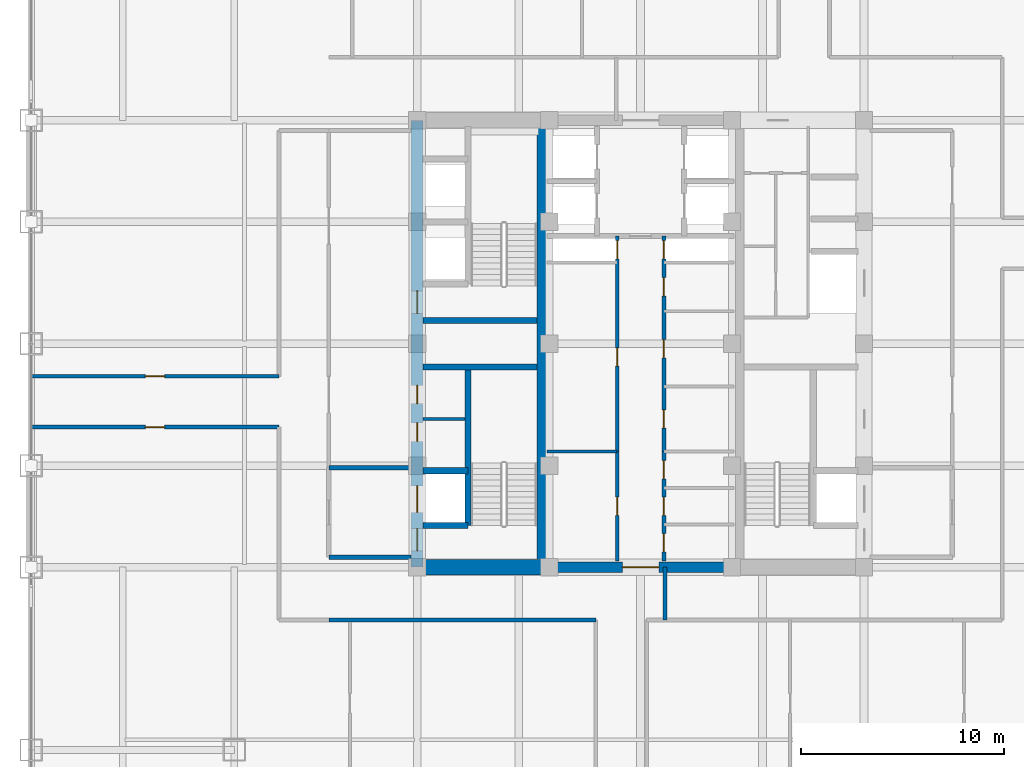
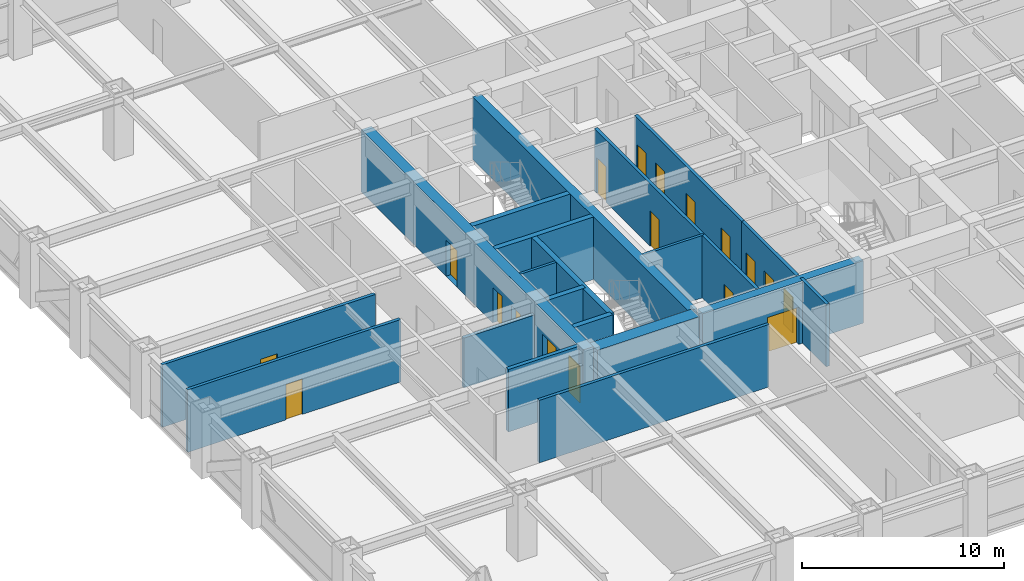
# One storey, part 20 of 28: 21 walls, 18 doors, 18 openings.
"""IFC4 building model written with IfcOpenShell, lengths in metres."""

import ifcopenshell
import ifcopenshell.guid

model = None  # the IFC model being written
_history = None  # IfcOwnerHistory: only IFC2X3 demands one
_inside = {}  # id of a spatial element -> (the spatial element, [elements in it])
_under = {}  # id of a project, library or spatial element -> (it, [spatial elements below it])
_declared = {}  # id of a project -> (the project, [libraries it declares])
_typed = {}  # id of a type object -> (the type object, [elements of that type])
_made_of = {}  # id of a material, layer set ... -> (it, [elements and type objects made of it])


def new_model(schema):
    """Start an empty IFC model of exactly this schema.

    Asked for "IFC4X3", IfcOpenShell would pick the latest addendum, in which some entities
    have other attributes; the version numbers below select the first issue.
    IFC2X3 requires an IfcOwnerHistory on every rooted entity: one is made here for all.
    """
    global model, _history
    if schema == "IFC4X3":
        model = ifcopenshell.file(schema_version=(4, 3, 0, 0))
    else:
        model = ifcopenshell.file(schema=schema)
    _inside.clear()
    _under.clear()
    _declared.clear()
    _typed.clear()
    _made_of.clear()
    _history = None
    if model.schema == "IFC2X3":
        org = make("IfcOrganization", Name="unknown")
        user = make(
            "IfcPersonAndOrganization",
            ThePerson=make("IfcPerson", FamilyName="unknown"),
            TheOrganization=org,
        )
        app = make(
            "IfcApplication",
            ApplicationDeveloper=org,
            Version="unknown",
            ApplicationFullName="unknown",
            ApplicationIdentifier="unknown",
        )
        _history = make(
            "IfcOwnerHistory",
            OwningUser=user,
            OwningApplication=app,
            ChangeAction="ADDED",
            CreationDate=0,
        )
    return model


def make(cls, **values):
    """One entity of the class cls with the attributes given. An attribute that is None is left unset."""
    return model.create_entity(
        cls, **{name: value for name, value in values.items() if value is not None}
    )


def rooted(cls, **values):
    """An entity with a GlobalId (a new one), such as an element, a storey or a relation."""
    return make(cls, GlobalId=ifcopenshell.guid.new(), OwnerHistory=_history, **values)


def si_unit(unit_type, name, prefix=None):
    """IfcSIUnit, for example si_unit("LENGTHUNIT", "METRE", prefix="MILLI")."""
    return make("IfcSIUnit", UnitType=unit_type, Prefix=prefix, Name=name)


def assignment(units):
    """IfcUnitAssignment: the units of a project."""
    return None if units is None else make("IfcUnitAssignment", Units=units)


def point(xyz):
    """IfcCartesianPoint."""
    return None if xyz is None else make("IfcCartesianPoint", Coordinates=xyz)


def direction(xyz):
    """IfcDirection."""
    return None if xyz is None else make("IfcDirection", DirectionRatios=xyz)


def frame(location, z_axis=None, x_axis=None):
    """IfcAxis2Placement3D, a coordinate frame: its origin and axes. An axis left out is left unset."""
    return make(
        "IfcAxis2Placement3D",
        Location=point(location),
        Axis=direction(z_axis),
        RefDirection=direction(x_axis),
    )


def frame_2d(location, x_axis=None):
    """IfcAxis2Placement2D, a coordinate frame in the plane: its origin and x axis."""
    return make(
        "IfcAxis2Placement2D", Location=point(location), RefDirection=direction(x_axis)
    )


def origin():
    """The frame at (0, 0, 0) with its axes left unset."""
    return frame((0.0, 0.0, 0.0))


def place(relative_to, where):
    """IfcLocalPlacement: puts the frame where relative to a parent placement (None: the world)."""
    return make(
        "IfcLocalPlacement", PlacementRelTo=relative_to, RelativePlacement=where
    )


def context(
    kind, dimensions, precision=None, world=None, true_north=None, identifier=None
):
    """IfcGeometricRepresentationContext, for example the 3D "Model" context."""
    return make(
        "IfcGeometricRepresentationContext",
        ContextIdentifier=identifier,
        ContextType=kind,
        CoordinateSpaceDimension=dimensions,
        Precision=precision,
        WorldCoordinateSystem=world,
        TrueNorth=true_north,
    )


def subcontext(parent, identifier, kind, view, scale=None):
    """IfcGeometricRepresentationSubContext, for example "Body" below "Model"."""
    return make(
        "IfcGeometricRepresentationSubContext",
        ContextIdentifier=identifier,
        ContextType=kind,
        ParentContext=parent,
        TargetScale=scale,
        TargetView=view,
    )


def project(units=None, contexts=None):
    """IfcProject with its units and contexts."""
    return rooted(
        "IfcProject",
        Name="project",
        RepresentationContexts=contexts,
        UnitsInContext=assignment(units),
    )


def spatial(cls, under=None, at=None, **own):
    """A site, building, storey or space (cls), placed at a placement, below another one or the project."""
    s = rooted(cls, ObjectPlacement=at, **own)
    if under is not None:
        _under.setdefault(under.id(), (under, []))[1].append(s)
    return s


def profile(cls, at=None, kind="AREA", **sizes):
    """A parametric profile (cls). Its sizes go by their IFC names, for example OverallWidth=200.0."""
    return make(cls, ProfileType=kind, Position=at, **sizes)


def rectangle(**sizes):
    """IfcRectangleProfileDef."""
    return profile("IfcRectangleProfileDef", **sizes)


def extrude(swept, where, along, depth):
    """IfcExtrudedAreaSolid: the profile swept, set in the frame where, extruded along a direction by depth."""
    return make(
        "IfcExtrudedAreaSolid",
        SweptArea=swept,
        Position=where,
        ExtrudedDirection=direction(along),
        Depth=depth,
    )


def shape(context_of_items, identifier, shape_type, items):
    """IfcShapeRepresentation: the items that make up one representation, for example the "Body"."""
    return make(
        "IfcShapeRepresentation",
        ContextOfItems=context_of_items,
        RepresentationIdentifier=identifier,
        RepresentationType=shape_type,
        Items=items,
    )


def source(mapping_origin, context_of_items, identifier, shape_type, items):
    """IfcRepresentationMap: a shape defined once, which mapped items show again and again."""
    return make(
        "IfcRepresentationMap",
        MappingOrigin=mapping_origin,
        MappedRepresentation=shape(context_of_items, identifier, shape_type, items),
    )


def transform(
    local_origin,
    x_axis=None,
    y_axis=None,
    z_axis=None,
    scale=None,
    scale2=None,
    scale3=None,
    uniform=True,
):
    """IfcCartesianTransformationOperator3D, or its non-uniform kind. x_axis, y_axis, z_axis: its Axis1, 2, 3."""
    if uniform:
        return make(
            "IfcCartesianTransformationOperator3D",
            Axis1=direction(x_axis),
            Axis2=direction(y_axis),
            LocalOrigin=point(local_origin),
            Scale=scale,
            Axis3=direction(z_axis),
        )
    return make(
        "IfcCartesianTransformationOperator3DnonUniform",
        Axis1=direction(x_axis),
        Axis2=direction(y_axis),
        LocalOrigin=point(local_origin),
        Scale=scale,
        Axis3=direction(z_axis),
        Scale2=scale2,
        Scale3=scale3,
    )


def mapped(mapping_source, mapping_target):
    """IfcMappedItem: shows the shape of a source again, moved by a transform."""
    return make(
        "IfcMappedItem", MappingSource=mapping_source, MappingTarget=mapping_target
    )


def material(Name=None, Category=None):
    """IfcMaterial."""
    return make("IfcMaterial", Name=Name, Category=Category)


def layer(
    of_material, thickness, ventilated=None, Name=None, Category=None, Priority=None
):
    """IfcMaterialLayer: one layer of a wall or slab, of a material (None: an air gap)."""
    return make(
        "IfcMaterialLayer",
        Material=of_material,
        LayerThickness=thickness,
        IsVentilated=ventilated,
        Name=Name,
        Category=Category,
        Priority=Priority,
    )


def layer_set(layers, Name=None):
    """IfcMaterialLayerSet."""
    return make("IfcMaterialLayerSet", MaterialLayers=layers, LayerSetName=Name)


def made_of(thing, what):
    """Note that an element or type object is made of a material, layer set ...; save() writes the relation."""
    if what is not None:
        _made_of.setdefault(what.id(), (what, []))[1].append(thing)
    return thing


def type_object(cls, material=None, **own):
    """A type object (cls), such as IfcWallType, which elements share."""
    return made_of(rooted(cls, **own), material)


def element(
    cls,
    number,
    at=None,
    inside=None,
    cuts=None,
    type_object=None,
    material=None,
    context=None,
    identifier="Body",
    shape_type=None,
    held_by="IfcProductDefinitionShape",
    body=None,
    shapes=None,
    **own,
):
    """One element of the class cls, such as IfcWall. Its Tag is "e" and its number.

    at: its placement. inside: the storey or other place that contains it. cuts: it is an
    opening in that element (IfcRelVoidsElement). A single representation is given by context,
    identifier, shape_type and body (its items); several are given by shapes. held_by: the class
    of the entity that holds the representations. save() writes the other relations.
    """
    e = rooted(cls, Tag="e%d" % number, ObjectPlacement=at, **own)
    if body is not None:
        shapes = [shape(context, identifier, shape_type, body)]
    if shapes is not None:
        e.Representation = make(held_by, Representations=shapes)
    if inside is not None:
        _inside.setdefault(inside.id(), (inside, []))[1].append(e)
    if cuts is not None:
        rooted(
            "IfcRelVoidsElement", RelatingBuildingElement=cuts, RelatedOpeningElement=e
        )
    if type_object is not None:
        _typed.setdefault(type_object.id(), (type_object, []))[1].append(e)
    return made_of(e, material)


def fill(opening, filler):
    """IfcRelFillsElement: the door or window that sits in an opening."""
    return rooted(
        "IfcRelFillsElement",
        RelatingOpeningElement=opening,
        RelatedBuildingElement=filler,
    )


def aggregate(whole, parts):
    """IfcRelAggregates: a whole, such as a stair, and the parts it consists of."""
    return rooted("IfcRelAggregates", RelatingObject=whole, RelatedObjects=parts)


def save(model, path):
    """Write the relations noted so far, then the file.

    IfcRelAggregates (storeys below a building ...), IfcRelContainedInSpatialStructure (elements
    in a storey), IfcRelDefinesByType, IfcRelAssociatesMaterial and IfcRelDeclares: one each for
    every whole, place, type object, material and project.
    """
    for whole, parts in _under.values():
        aggregate(whole, parts)
    for where, things in _inside.values():
        rooted(
            "IfcRelContainedInSpatialStructure",
            RelatedElements=things,
            RelatingStructure=where,
        )
    for kind, things in _typed.values():
        rooted("IfcRelDefinesByType", RelatedObjects=things, RelatingType=kind)
    for what, things in _made_of.values():
        rooted("IfcRelAssociatesMaterial", RelatedObjects=things, RelatingMaterial=what)
    for by, libraries in _declared.values():
        rooted("IfcRelDeclares", RelatingContext=by, RelatedDefinitions=libraries)
    model.write(path)


model = new_model("IFC4")

# Units and contexts
model_context = context("Model", 3, precision=1e-05, world=origin(), true_north=direction((0.0, 1.0)))
body_context = subcontext(model_context, "Body", "Model", "MODEL_VIEW")
ifc_project = project(units=[si_unit("LENGTHUNIT", "METRE"), si_unit("AREAUNIT", "SQUARE_METRE"), si_unit("VOLUMEUNIT", "CUBIC_METRE"), si_unit("PLANEANGLEUNIT", "RADIAN"), si_unit("MASSUNIT", "GRAM", prefix="KILO")], contexts=[model_context])

# Site, building, storey
site_placement = place(None, origin())
site = spatial("IfcSite", under=ifc_project, at=site_placement, CompositionType="ELEMENT")
building_placement = place(site_placement, origin())
building = spatial("IfcBuilding", under=site, at=building_placement, Name="Khorayat Bourse Tower", CompositionType="ELEMENT")
storey_placement = place(building_placement, frame((0.0, 0.0, 183.10009765625)))
storey = spatial("IfcBuildingStorey", under=building, at=storey_placement, Name="L42", CompositionType="ELEMENT", Elevation=183.10009765625)

# Wall, openings, doors
ifc_material_1 = material(Name="Concrete C60/75", Category="concrete")
ifc_layer_1 = layer(ifc_material_1, 0.60009765625)
ifc_layer_set_1 = layer_set([ifc_layer_1], Name="Concrete C60/75")
wall_type_1 = type_object("IfcWallType", Name="WAL-CORE-600", PredefinedType="SHEAR", material=ifc_layer_set_1)
shared_shape_1 = source(origin(), body_context, "Body", "SweptSolid", [
    extrude(rectangle(XDim=22.0, YDim=0.60009765625, at=frame_2d((11.0, 0.0))), origin(), (0.0, 0.0, 1.0), 3.77978515625),
])
wall_1_placement = place(storey_placement, frame((-11.0, -11.0, 0.0), z_axis=(0.0, 0.0, 1.0), x_axis=(0.0, 1.0, 0.0)))
wall_1 = element("IfcWall", 1, at=wall_1_placement, inside=storey, type_object=wall_type_1, Name="L42 Core Shear Wall CORE-W", PredefinedType="SHEAR", context=body_context, shape_type="MappedRepresentation", body=[
    mapped(shared_shape_1, transform((0.0, 0.0, 0.0), scale=1.0)),
])
shared_shape_2 = source(origin(), body_context, "Body", "SweptSolid", [
    extrude(rectangle(XDim=1.10009765625, YDim=2.199951171875, at=frame_2d((0.550048828125, 1.10009765625))), frame((0.0, 0.31005859375, 0.0), z_axis=(0.0, -1.0, 0.0), x_axis=(1.0, 0.0, 0.0)), (0.0, 0.0, 1.0), 0.6201171875),
])
opening_1_placement = place(wall_1_placement, frame((0.800048828125, 0.0, 0.0)))
opening_1 = element("IfcOpeningElement", 2, at=opening_1_placement, cuts=wall_1, Name="Opening DI-01", PredefinedType="OPENING", context=body_context, shape_type="MappedRepresentation", body=[
    mapped(shared_shape_2, transform((0.0, 0.0, 0.0), scale=1.0)),
])
opening_2_placement = place(wall_1_placement, frame((12.5, 0.0, 0.0)))
opening_2 = element("IfcOpeningElement", 3, at=opening_2_placement, cuts=wall_1, Name="Opening DI-01", PredefinedType="OPENING", context=body_context, shape_type="MappedRepresentation", body=[
    mapped(shared_shape_2, transform((0.0, 0.0, 0.0), scale=1.0)),
])
shared_shape_3 = source(origin(), body_context, "Body", "SweptSolid", [
    extrude(rectangle(XDim=0.89990234375, YDim=2.14990234375, at=frame_2d((0.449951171875, 1.074951171875))), frame((0.0, 0.31005859375, 0.0), z_axis=(0.0, -1.0, 0.0), x_axis=(1.0, 0.0, 0.0)), (0.0, 0.0, 1.0), 0.6201171875),
])
opening_3_placement = place(wall_1_placement, frame((6.199951171875, 0.0, 0.0)))
opening_3 = element("IfcOpeningElement", 4, at=opening_3_placement, cuts=wall_1, Name="Opening DI-06", PredefinedType="OPENING", context=body_context, shape_type="MappedRepresentation", body=[
    mapped(shared_shape_3, transform((0.0, 0.0, 0.0), scale=1.0)),
])
opening_4_placement = place(wall_1_placement, frame((8.050048828125, 0.0, 0.0)))
opening_4 = element("IfcOpeningElement", 5, at=opening_4_placement, cuts=wall_1, Name="Opening DI-06", PredefinedType="OPENING", context=body_context, shape_type="MappedRepresentation", body=[
    mapped(shared_shape_3, transform((0.0, 0.0, 0.0), scale=1.0)),
])
shared_shape_4 = source(origin(), body_context, "Body", "SweptSolid", [
    extrude(rectangle(XDim=1.300048828125, YDim=2.300048828125, at=frame_2d((0.64990234375, 1.14990234375))), frame((0.0, 0.31005859375, 0.0), z_axis=(0.0, -1.0, 0.0), x_axis=(1.0, 0.0, 0.0)), (0.0, 0.0, 1.0), 0.6201171875),
])
opening_5_placement = place(wall_1_placement, frame((2.699951171875, 0.0, 0.0)))
opening_5 = element("IfcOpeningElement", 6, at=opening_5_placement, cuts=wall_1, Name="Opening LD-02", PredefinedType="OPENING", context=body_context, shape_type="MappedRepresentation", body=[
    mapped(shared_shape_4, transform((0.0, 0.0, 0.0), scale=1.0)),
])
ifc_material_2 = material(Name="Fire-rated steel acoustic leaf", Category="steel")
door_type_1 = type_object("IfcDoorType", Name="DR-INT-STAIR-1100", OperationType="NOTDEFINED", PredefinedType="DOOR", material=ifc_material_2)
shared_shape_5 = source(origin(), body_context, "Body", "SweptSolid", [
    extrude(rectangle(XDim=1.10009765625, YDim=2.199951171875, at=frame_2d((0.550048828125, 1.10009765625))), frame((0.0, 0.02490234375, 0.0), z_axis=(0.0, -1.0, 0.0), x_axis=(1.0, 0.0, 0.0)), (0.0, 0.0, 1.0), 0.050048828125),
])
door_1_placement = place(opening_1_placement, origin())
door_1 = element("IfcDoor", 7, at=door_1_placement, inside=storey, type_object=door_type_1, Name="L42 Exit Stair 1 Door", OperationType="SINGLE_SWING_RIGHT", OverallHeight=2.199951171875, OverallWidth=1.10009765625, PredefinedType="DOOR", context=body_context, shape_type="MappedRepresentation", body=[
    mapped(shared_shape_5, transform((0.0, 0.0, 0.0), scale=1.0)),
])
fill(opening_1, door_1)
door_2_placement = place(opening_2_placement, origin())
door_2 = element("IfcDoor", 8, at=door_2_placement, inside=storey, type_object=door_type_1, Name="L42 Exit Stair 2 Door", OperationType="SINGLE_SWING_RIGHT", OverallHeight=2.199951171875, OverallWidth=1.10009765625, PredefinedType="DOOR", context=body_context, shape_type="MappedRepresentation", body=[
    mapped(shared_shape_5, transform((0.0, 0.0, 0.0), scale=1.0)),
])
fill(opening_2, door_2)
ifc_material_3 = material(Name="Moisture-resistant laminate washroom door")
door_type_2 = type_object("IfcDoorType", Name="DR-INT-WC-900", OperationType="NOTDEFINED", PredefinedType="DOOR", material=ifc_material_3)
shared_shape_6 = source(origin(), body_context, "Body", "SweptSolid", [
    extrude(rectangle(XDim=0.89990234375, YDim=2.14990234375, at=frame_2d((0.449951171875, 1.074951171875))), frame((0.0, 0.02490234375, 0.0), z_axis=(0.0, -1.0, 0.0), x_axis=(1.0, 0.0, 0.0)), (0.0, 0.0, 1.0), 0.050048828125),
])
door_3_placement = place(opening_3_placement, origin())
door_3 = element("IfcDoor", 9, at=door_3_placement, inside=storey, type_object=door_type_2, Name="L42 Electrical Plant Room Door", OperationType="SINGLE_SWING_RIGHT", OverallHeight=2.14990234375, OverallWidth=0.89990234375, PredefinedType="DOOR", context=body_context, shape_type="MappedRepresentation", body=[
    mapped(shared_shape_6, transform((0.0, 0.0, 0.0), scale=1.0)),
])
fill(opening_3, door_3)
door_4_placement = place(opening_4_placement, origin())
door_4 = element("IfcDoor", 10, at=door_4_placement, inside=storey, type_object=door_type_2, Name="L42 Cleaner Storage Room Door", OperationType="SINGLE_SWING_LEFT", OverallHeight=2.14990234375, OverallWidth=0.89990234375, PredefinedType="DOOR", context=body_context, shape_type="MappedRepresentation", body=[
    mapped(shared_shape_6, transform((0.0, 0.0, 0.0), scale=1.0)),
])
fill(opening_4, door_4)
ifc_material_4 = material(Name="Fire-rated stainless-steel sliding landing door", Category="steel")
door_type_3 = type_object("IfcDoorType", Name="DR-LIFT-FF-1300", OperationType="NOTDEFINED", PredefinedType="DOOR", material=ifc_material_4)
shared_shape_7 = source(origin(), body_context, "Body", "SweptSolid", [
    extrude(rectangle(XDim=1.300048828125, YDim=2.300048828125, at=frame_2d((0.64990234375, 1.14990234375))), frame((0.0, 0.02490234375, 0.0), z_axis=(0.0, -1.0, 0.0), x_axis=(1.0, 0.0, 0.0)), (0.0, 0.0, 1.0), 0.050048828125),
])
door_5_placement = place(opening_5_placement, origin())
door_5 = element("IfcDoor", 11, at=door_5_placement, inside=storey, type_object=door_type_3, Name="L42 Lift FFL-01 Sliding Landing Door", OperationType="SLIDING_TO_LEFT", OverallHeight=2.300048828125, OverallWidth=1.300048828125, PredefinedType="DOOR", context=body_context, shape_type="MappedRepresentation", body=[
    mapped(shared_shape_7, transform((0.0, 0.0, 0.0), scale=1.0)),
])
fill(opening_5, door_5)

# Walls
ifc_material_5 = material(Name="Concrete C52/65", Category="concrete")
ifc_layer_2 = layer(ifc_material_5, 0.5)
ifc_layer_set_2 = layer_set([ifc_layer_2], Name="Concrete C52/65")
wall_type_2 = type_object("IfcWallType", Name="WAL-CORE-500", PredefinedType="SHEAR", material=ifc_layer_set_2)
shared_shape_8 = source(origin(), body_context, "Body", "SweptSolid", [
    extrude(rectangle(XDim=21.39990234375, YDim=0.5, at=frame_2d((10.699951171875, 0.0))), origin(), (0.0, 0.0, 1.0), 3.77978515625),
])
wall_2_placement = place(storey_placement, frame((-4.85009765625, -10.699951171875, 0.0), z_axis=(0.0, 0.0, 1.0), x_axis=(0.0, 1.0, 0.0)))
element("IfcWall", 12, at=wall_2_placement, inside=storey, type_object=wall_type_2, Name="L42 Core Shear Wall PIER-W", PredefinedType="SHEAR", context=body_context, shape_type="MappedRepresentation", body=[
    mapped(shared_shape_8, transform((0.0, 0.0, 0.0), scale=1.0)),
])
ifc_material_6 = material(Name="Concrete C72/90", Category="concrete")
ifc_layer_3 = layer(ifc_material_6, 0.75)
ifc_layer_set_3 = layer_set([ifc_layer_3], Name="Concrete C72/90")
wall_type_3 = type_object("IfcWallType", Name="WAL-CORE-750", PredefinedType="SHEAR", material=ifc_layer_set_3)
shared_shape_9 = source(origin(), body_context, "Body", "SweptSolid", [
    extrude(rectangle(XDim=5.849853515625, YDim=0.75, at=frame_2d((2.9248046875, 0.0))), origin(), (0.0, 0.0, 1.0), 3.77978515625),
])
wall_3_placement = place(storey_placement, frame((-10.699951171875, -11.0, 0.0), z_axis=(0.0, 0.0, 1.0), x_axis=(1.0, 0.0, 0.0)))
element("IfcWall", 13, at=wall_3_placement, inside=storey, type_object=wall_type_3, Name="L42 Core Shear Wall PIER-WS", PredefinedType="SHEAR", context=body_context, shape_type="MappedRepresentation", body=[
    mapped(shared_shape_9, transform((0.0, 0.0, 0.0), scale=1.0)),
])
ifc_material_7 = material(Name="Concrete C50/60", Category="concrete")
ifc_layer_4 = layer(ifc_material_7, 0.300048828125)
ifc_layer_set_4 = layer_set([ifc_layer_4], Name="Concrete C50/60")
wall_type_4 = type_object("IfcWallType", Name="WAL-SHAFT-300", PredefinedType="SHEAR", material=ifc_layer_set_4)
shared_shape_10 = source(origin(), body_context, "Body", "SweptSolid", [
    extrude(rectangle(XDim=5.599853515625, YDim=0.300048828125, at=frame_2d((2.7998046875, 0.0))), origin(), (0.0, 0.0, 1.0), 3.77978515625),
])
for number, where, z_axis, x_axis, name in (
    (14, (-10.699951171875, -1.14990234375, 0.0), (0.0, 0.0, 1.0), (1.0, 0.0, 0.0), "L42 Core Shear Wall ST1-DIV"),
    (15, (-10.699951171875, 1.14990234375, 0.0), (0.0, 0.0, 1.0), (1.0, 0.0, 0.0), "L42 Core Shear Wall ST2-DIV"),
):
    element("IfcWall", number, at=place(storey_placement, frame(where, z_axis=z_axis, x_axis=x_axis)), inside=storey, type_object=wall_type_4, Name=name, PredefinedType="SHEAR", context=body_context, shape_type="MappedRepresentation", body=[
        mapped(shared_shape_10, transform((0.0, 0.0, 0.0), scale=1.0)),
    ])

# Wall, opening, door
shared_shape_11 = source(origin(), body_context, "Body", "SweptSolid", [
    extrude(rectangle(XDim=9.2001953125, YDim=0.5, at=frame_2d((4.60009765625, 0.0))), origin(), (0.0, 0.0, 1.0), 3.77978515625),
])
wall_4_placement = place(storey_placement, frame((-4.60009765625, -11.0, 0.0), z_axis=(0.0, 0.0, 1.0), x_axis=(1.0, 0.0, 0.0)))
wall_4 = element("IfcWall", 16, at=wall_4_placement, inside=storey, type_object=wall_type_2, Name="L42 Core Shear Wall CORE-S", PredefinedType="SHEAR", context=body_context, shape_type="MappedRepresentation", body=[
    mapped(shared_shape_11, transform((0.0, 0.0, 0.0), scale=1.0)),
])
shared_shape_12 = source(origin(), body_context, "Body", "SweptSolid", [
    extrude(rectangle(XDim=1.800048828125, YDim=2.25, at=frame_2d((0.89990234375, 1.125))), frame((0.0, 0.260009765625, 0.0), z_axis=(0.0, -1.0, 0.0), x_axis=(1.0, 0.0, 0.0)), (0.0, 0.0, 1.0), 0.52001953125),
])
opening_6_placement = place(wall_4_placement, frame((3.699951171875, 0.0, 0.0)))
opening_6 = element("IfcOpeningElement", 17, at=opening_6_placement, cuts=wall_4, Name="Opening DI-03", PredefinedType="OPENING", context=body_context, shape_type="MappedRepresentation", body=[
    mapped(shared_shape_12, transform((0.0, 0.0, 0.0), scale=1.0)),
])
ifc_material_8 = material(Name="Fire-rated hardwood vision-panel double leaf", Category="wood")
door_type_4 = type_object("IfcDoorType", Name="DR-INT-CORR-1800", OperationType="NOTDEFINED", PredefinedType="DOOR", material=ifc_material_8)
shared_shape_13 = source(origin(), body_context, "Body", "SweptSolid", [
    extrude(rectangle(XDim=1.800048828125, YDim=2.25, at=frame_2d((0.89990234375, 1.125))), frame((0.0, 0.02490234375, 0.0), z_axis=(0.0, -1.0, 0.0), x_axis=(1.0, 0.0, 0.0)), (0.0, 0.0, 1.0), 0.050048828125),
])
door_6_placement = place(opening_6_placement, origin())
door_6 = element("IfcDoor", 18, at=door_6_placement, inside=storey, type_object=door_type_4, Name="L42 Central Core South Passage Door", OperationType="SINGLE_SWING_LEFT", OverallHeight=2.25, OverallWidth=1.800048828125, PredefinedType="DOOR", context=body_context, shape_type="MappedRepresentation", body=[
    mapped(shared_shape_13, transform((0.0, 0.0, 0.0), scale=1.0)),
])
fill(opening_6, door_6)

# Walls
shared_shape_14 = source(origin(), body_context, "Body", "SweptSolid", [
    extrude(rectangle(XDim=7.800048828125, YDim=0.300048828125, at=frame_2d((3.89990234375, 0.0))), origin(), (0.0, 0.0, 1.0), 3.77978515625),
])
wall_5_placement = place(storey_placement, frame((-8.5, -8.949951171875, 0.0), z_axis=(0.0, 0.0, 1.0), x_axis=(0.0, 1.0, 0.0)))
element("IfcWall", 19, at=wall_5_placement, inside=storey, type_object=wall_type_4, Name="L42 Partition WAL-L42-WPIER-SP", PredefinedType="SHEAR", context=body_context, shape_type="MappedRepresentation", body=[
    mapped(shared_shape_14, transform((0.0, 0.0, 0.0), scale=1.0)),
])
shared_shape_15 = source(origin(), body_context, "Body", "SweptSolid", [
    extrude(rectangle(XDim=2.199951171875, YDim=0.300048828125, at=frame_2d((1.10009765625, 0.0))), origin(), (0.0, 0.0, 1.0), 3.77978515625),
])
for number, where, z_axis, x_axis, name in (
    (20, (-10.699951171875, -8.949951171875, 0.0), (0.0, 0.0, 1.0), (1.0, 0.0, 0.0), "L42 Partition WAL-L42-WPIER-FF1S"),
    (21, (-10.699951171875, -6.25, 0.0), (0.0, 0.0, 1.0), (1.0, 0.0, 0.0), "L42 Partition WAL-L42-WPIER-FF1N"),
):
    element("IfcWall", number, at=place(storey_placement, frame(where, z_axis=z_axis, x_axis=x_axis)), inside=storey, type_object=wall_type_4, Name=name, PredefinedType="SHEAR", context=body_context, shape_type="MappedRepresentation", body=[
        mapped(shared_shape_15, transform((0.0, 0.0, 0.0), scale=1.0)),
    ])
ifc_material_9 = material(Name="Gypsum plasterboard twin-frame partition")
ifc_layer_5 = layer(ifc_material_9, 0.14990234375)
ifc_layer_set_5 = layer_set([ifc_layer_5], Name="Gypsum plasterboard twin-frame partition")
wall_type_5 = type_object("IfcWallType", Name="WAL-PART-SUITE-150", PredefinedType="PARTITIONING", material=ifc_layer_set_5)
shared_shape_16 = source(origin(), body_context, "Body", "SweptSolid", [
    extrude(rectangle(XDim=2.050048828125, YDim=0.14990234375, at=frame_2d((1.02490234375, 0.0))), origin(), (0.0, 0.0, 1.0), 3.77978515625),
])
wall_6_placement = place(storey_placement, frame((-10.699951171875, -3.699951171875, 0.0), z_axis=(0.0, 0.0, 1.0), x_axis=(1.0, 0.0, 0.0)))
element("IfcWall", 22, at=wall_6_placement, inside=storey, type_object=wall_type_5, Name="L42 Partition WAL-L42-WSRV-D1", PredefinedType="PARTITIONING", context=body_context, shape_type="MappedRepresentation", body=[
    mapped(shared_shape_16, transform((0.0, 0.0, 0.0), scale=1.0)),
])
ifc_material_10 = material(Name="Aerated concrete blockwork", Category="masonry")
ifc_layer_6 = layer(ifc_material_10, 0.219970703125)
ifc_layer_set_6 = layer_set([ifc_layer_6], Name="Aerated concrete blockwork")
wall_type_6 = type_object("IfcWallType", Name="WAL-PART-FF-220", PredefinedType="PARTITIONING", material=ifc_layer_set_6)
shared_shape_17 = source(origin(), body_context, "Body", "SweptSolid", [
    extrude(rectangle(XDim=4.050048828125, YDim=0.219970703125, at=frame_2d((2.02490234375, 0.0))), origin(), (0.0, 0.0, 1.0), 3.77978515625),
])
wall_7_placement = place(storey_placement, frame((-15.35009765625, -10.5, 0.0), z_axis=(0.0, 0.0, 1.0), x_axis=(1.0, 0.0, 0.0)))
element("IfcWall", 23, at=wall_7_placement, inside=storey, type_object=wall_type_6, Name="L42 Partition WAL-L42-FFLW-S", PredefinedType="PARTITIONING", context=body_context, shape_type="MappedRepresentation", body=[
    mapped(shared_shape_17, transform((0.0, 0.0, 0.0), scale=1.0)),
])
shared_shape_18 = source(origin(), body_context, "Body", "SweptSolid", [
    extrude(rectangle(XDim=4.050048828125, YDim=0.219970703125, at=frame_2d((2.02490234375, 0.0))), origin(), (0.0, 0.0, 1.0), 3.0068359375),
])
wall_8_placement = place(storey_placement, frame((-15.35009765625, -6.10009765625, 0.0), z_axis=(0.0, 0.0, 1.0), x_axis=(1.0, 0.0, 0.0)))
element("IfcWall", 24, at=wall_8_placement, inside=storey, type_object=wall_type_6, Name="L42 Partition WAL-L42-FFLW-N", PredefinedType="PARTITIONING", context=body_context, shape_type="MappedRepresentation", body=[
    mapped(shared_shape_18, transform((0.0, 0.0, 0.0), scale=1.0)),
])
shared_shape_19 = source(origin(), body_context, "Body", "SweptSolid", [
    extrude(rectangle(XDim=3.4501953125, YDim=0.14990234375, at=frame_2d((1.72509765625, 0.0))), origin(), (0.0, 0.0, 1.0), 3.77978515625),
])
wall_9_placement = place(storey_placement, frame((-4.60009765625, -5.300048828125, 0.0), z_axis=(0.0, 0.0, 1.0), x_axis=(1.0, 0.0, 0.0)))
element("IfcWall", 25, at=wall_9_placement, inside=storey, type_object=wall_type_5, Name="L42 Partition WAL-L42-FB1-NW", PredefinedType="PARTITIONING", context=body_context, shape_type="MappedRepresentation", body=[
    mapped(shared_shape_19, transform((0.0, 0.0, 0.0), scale=1.0)),
])

# Wall, opening, door
ifc_material_11 = material(Name="Gypsum plasterboard acoustic stud wall")
ifc_layer_7 = layer(ifc_material_11, 0.179931640625)
ifc_layer_set_7 = layer_set([ifc_layer_7], Name="Gypsum plasterboard acoustic stud wall")
wall_type_7 = type_object("IfcWallType", Name="WAL-PART-CORR-180", PredefinedType="PARTITIONING", material=ifc_layer_set_7)
shared_shape_20 = source(origin(), body_context, "Body", "SweptSolid", [
    extrude(rectangle(XDim=5.39990234375, YDim=0.179931640625, at=frame_2d((2.699951171875, 0.0))), origin(), (0.0, 0.0, 1.0), 3.77978515625),
])
wall_10_placement = place(storey_placement, frame((-1.14990234375, -10.699951171875, 0.0), z_axis=(0.0, 0.0, 1.0), x_axis=(0.0, 1.0, 0.0)))
wall_10 = element("IfcWall", 26, at=wall_10_placement, inside=storey, type_object=wall_type_7, Name="L42 Partition WAL-L42-FB1W-L", PredefinedType="PARTITIONING", context=body_context, shape_type="MappedRepresentation", body=[
    mapped(shared_shape_20, transform((0.0, 0.0, 0.0), scale=1.0)),
])
shared_shape_21 = source(origin(), body_context, "Body", "SweptSolid", [
    extrude(rectangle(XDim=0.89990234375, YDim=2.14990234375, at=frame_2d((0.449951171875, 1.074951171875))), frame((0.0, 0.099853515625, 0.0), z_axis=(0.0, -1.0, 0.0), x_axis=(1.0, 0.0, 0.0)), (0.0, 0.0, 1.0), 0.199951171875),
])
opening_7_placement = place(wall_10_placement, frame((2.25, 0.0, 0.0)))
opening_7 = element("IfcOpeningElement", 27, at=opening_7_placement, cuts=wall_10, Name="Opening DI-06", PredefinedType="OPENING", context=body_context, shape_type="MappedRepresentation", body=[
    mapped(shared_shape_21, transform((0.0, 0.0, 0.0), scale=1.0)),
])
door_7_placement = place(opening_7_placement, origin())
door_7 = element("IfcDoor", 28, at=door_7_placement, inside=storey, type_object=door_type_2, Name="L42 IT Comms Server Plant Room Door", OperationType="SINGLE_SWING_RIGHT", OverallHeight=2.14990234375, OverallWidth=0.89990234375, PredefinedType="DOOR", context=body_context, shape_type="MappedRepresentation", body=[
    mapped(shared_shape_6, transform((0.0, 0.0, 0.0), scale=1.0)),
])
fill(opening_7, door_7)

# Wall, openings, doors
wall_11_placement = place(storey_placement, frame((1.14990234375, -10.699951171875, 0.0), z_axis=(0.0, 0.0, 1.0), x_axis=(0.0, 1.0, 0.0)))
wall_11 = element("IfcWall", 29, at=wall_11_placement, inside=storey, type_object=wall_type_7, Name="L42 Partition WAL-L42-FB1E-L", PredefinedType="PARTITIONING", context=body_context, shape_type="MappedRepresentation", body=[
    mapped(shared_shape_20, transform((0.0, 0.0, 0.0), scale=1.0)),
])
opening_8_placement = place(wall_11_placement, frame((0.449951171875, 0.0, 0.0)))
opening_8 = element("IfcOpeningElement", 30, at=opening_8_placement, cuts=wall_11, Name="Opening DI-06", PredefinedType="OPENING", context=body_context, shape_type="MappedRepresentation", body=[
    mapped(shared_shape_21, transform((0.0, 0.0, 0.0), scale=1.0)),
])
opening_9_placement = place(wall_11_placement, frame((2.25, 0.0, 0.0)))
opening_9 = element("IfcOpeningElement", 31, at=opening_9_placement, cuts=wall_11, Name="Opening DI-06", PredefinedType="OPENING", context=body_context, shape_type="MappedRepresentation", body=[
    mapped(shared_shape_21, transform((0.0, 0.0, 0.0), scale=1.0)),
])
opening_10_placement = place(wall_11_placement, frame((4.050048828125, 0.0, 0.0)))
opening_10 = element("IfcOpeningElement", 32, at=opening_10_placement, cuts=wall_11, Name="Opening DI-06", PredefinedType="OPENING", context=body_context, shape_type="MappedRepresentation", body=[
    mapped(shared_shape_21, transform((0.0, 0.0, 0.0), scale=1.0)),
])
door_8_placement = place(opening_8_placement, origin())
door_8 = element("IfcDoor", 33, at=door_8_placement, inside=storey, type_object=door_type_2, Name="L42 Stationery Store Door", OperationType="SINGLE_SWING_RIGHT", OverallHeight=2.14990234375, OverallWidth=0.89990234375, PredefinedType="DOOR", context=body_context, shape_type="MappedRepresentation", body=[
    mapped(shared_shape_6, transform((0.0, 0.0, 0.0), scale=1.0)),
])
fill(opening_8, door_8)
door_9_placement = place(opening_9_placement, origin())
door_9 = element("IfcDoor", 34, at=door_9_placement, inside=storey, type_object=door_type_2, Name="L42 Meter Closet Door", OperationType="SINGLE_SWING_LEFT", OverallHeight=2.14990234375, OverallWidth=0.89990234375, PredefinedType="DOOR", context=body_context, shape_type="MappedRepresentation", body=[
    mapped(shared_shape_6, transform((0.0, 0.0, 0.0), scale=1.0)),
])
fill(opening_9, door_9)
door_10_placement = place(opening_10_placement, origin())
door_10 = element("IfcDoor", 35, at=door_10_placement, inside=storey, type_object=door_type_2, Name="L42 Print Room Door", OperationType="SINGLE_SWING_RIGHT", OverallHeight=2.14990234375, OverallWidth=0.89990234375, PredefinedType="DOOR", context=body_context, shape_type="MappedRepresentation", body=[
    mapped(shared_shape_6, transform((0.0, 0.0, 0.0), scale=1.0)),
])
fill(opening_10, door_10)

shared_shape_22 = source(origin(), body_context, "Body", "SweptSolid", [
    extrude(rectangle(XDim=10.60009765625, YDim=0.179931640625, at=frame_2d((5.300048828125, 0.0))), origin(), (0.0, 0.0, 1.0), 3.77978515625),
])
wall_12_placement = place(storey_placement, frame((-1.14990234375, -5.300048828125, 0.0), z_axis=(0.0, 0.0, 1.0), x_axis=(0.0, 1.0, 0.0)))
wall_12 = element("IfcWall", 36, at=wall_12_placement, inside=storey, type_object=wall_type_7, Name="L42 Partition WAL-L42-CMW-L", PredefinedType="PARTITIONING", context=body_context, shape_type="MappedRepresentation", body=[
    mapped(shared_shape_22, transform((0.0, 0.0, 0.0), scale=1.0)),
])
opening_11_placement = place(wall_12_placement, frame((4.199951171875, 0.0, 0.0)))
opening_11 = element("IfcOpeningElement", 37, at=opening_11_placement, cuts=wall_12, Name="Opening DI-06", PredefinedType="OPENING", context=body_context, shape_type="MappedRepresentation", body=[
    mapped(shared_shape_21, transform((0.0, 0.0, 0.0), scale=1.0)),
])
opening_12_placement = place(wall_12_placement, frame((9.47509765625, 0.0, 0.0)))
opening_12 = element("IfcOpeningElement", 38, at=opening_12_placement, cuts=wall_12, Name="Opening DI-06", PredefinedType="OPENING", context=body_context, shape_type="MappedRepresentation", body=[
    mapped(shared_shape_21, transform((0.0, 0.0, 0.0), scale=1.0)),
])
door_11_placement = place(opening_11_placement, origin())
door_11 = element("IfcDoor", 39, at=door_11_placement, inside=storey, type_object=door_type_2, Name="L42 Male Core Washroom Door", OperationType="SINGLE_SWING_RIGHT", OverallHeight=2.14990234375, OverallWidth=0.89990234375, PredefinedType="DOOR", context=body_context, shape_type="MappedRepresentation", body=[
    mapped(shared_shape_6, transform((0.0, 0.0, 0.0), scale=1.0)),
])
fill(opening_11, door_11)
door_12_placement = place(opening_12_placement, origin())
door_12 = element("IfcDoor", 40, at=door_12_placement, inside=storey, type_object=door_type_2, Name="L42 West Core Riser Door", OperationType="SINGLE_SWING_LEFT", OverallHeight=2.14990234375, OverallWidth=0.89990234375, PredefinedType="DOOR", context=body_context, shape_type="MappedRepresentation", body=[
    mapped(shared_shape_6, transform((0.0, 0.0, 0.0), scale=1.0)),
])
fill(opening_12, door_12)

wall_13_placement = place(storey_placement, frame((1.14990234375, -5.300048828125, 0.0), z_axis=(0.0, 0.0, 1.0), x_axis=(0.0, 1.0, 0.0)))
wall_13 = element("IfcWall", 41, at=wall_13_placement, inside=storey, type_object=wall_type_7, Name="L42 Partition WAL-L42-CME-L", PredefinedType="PARTITIONING", context=body_context, shape_type="MappedRepresentation", body=[
    mapped(shared_shape_22, transform((0.0, 0.0, 0.0), scale=1.0)),
])
opening_13_placement = place(wall_13_placement, frame((1.14990234375, 0.0, 0.0)))
opening_13 = element("IfcOpeningElement", 42, at=opening_13_placement, cuts=wall_13, Name="Opening DI-06", PredefinedType="OPENING", context=body_context, shape_type="MappedRepresentation", body=[
    mapped(shared_shape_21, transform((0.0, 0.0, 0.0), scale=1.0)),
])
opening_14_placement = place(wall_13_placement, frame((4.60009765625, 0.0, 0.0)))
opening_14 = element("IfcOpeningElement", 43, at=opening_14_placement, cuts=wall_13, Name="Opening DI-06", PredefinedType="OPENING", context=body_context, shape_type="MappedRepresentation", body=[
    mapped(shared_shape_21, transform((0.0, 0.0, 0.0), scale=1.0)),
])
opening_15_placement = place(wall_13_placement, frame((7.64990234375, 0.0, 0.0)))
opening_15 = element("IfcOpeningElement", 44, at=opening_15_placement, cuts=wall_13, Name="Opening DI-06", PredefinedType="OPENING", context=body_context, shape_type="MappedRepresentation", body=[
    mapped(shared_shape_21, transform((0.0, 0.0, 0.0), scale=1.0)),
])
opening_16_placement = place(wall_13_placement, frame((9.47509765625, 0.0, 0.0)))
opening_16 = element("IfcOpeningElement", 45, at=opening_16_placement, cuts=wall_13, Name="Opening DI-06", PredefinedType="OPENING", context=body_context, shape_type="MappedRepresentation", body=[
    mapped(shared_shape_21, transform((0.0, 0.0, 0.0), scale=1.0)),
])
door_13_placement = place(opening_13_placement, origin())
door_13 = element("IfcDoor", 46, at=door_13_placement, inside=storey, type_object=door_type_2, Name="L42 Female Core Washroom Door", OperationType="SINGLE_SWING_RIGHT", OverallHeight=2.14990234375, OverallWidth=0.89990234375, PredefinedType="DOOR", context=body_context, shape_type="MappedRepresentation", body=[
    mapped(shared_shape_6, transform((0.0, 0.0, 0.0), scale=1.0)),
])
fill(opening_13, door_13)
door_14_placement = place(opening_14_placement, origin())
door_14 = element("IfcDoor", 47, at=door_14_placement, inside=storey, type_object=door_type_2, Name="L42 Cleaners Store Door", OperationType="SINGLE_SWING_LEFT", OverallHeight=2.14990234375, OverallWidth=0.89990234375, PredefinedType="DOOR", context=body_context, shape_type="MappedRepresentation", body=[
    mapped(shared_shape_6, transform((0.0, 0.0, 0.0), scale=1.0)),
])
fill(opening_14, door_14)
door_15_placement = place(opening_15_placement, origin())
door_15 = element("IfcDoor", 48, at=door_15_placement, inside=storey, type_object=door_type_2, Name="L42 Meter and BMS Plant Room Door", OperationType="SINGLE_SWING_RIGHT", OverallHeight=2.14990234375, OverallWidth=0.89990234375, PredefinedType="DOOR", context=body_context, shape_type="MappedRepresentation", body=[
    mapped(shared_shape_6, transform((0.0, 0.0, 0.0), scale=1.0)),
])
fill(opening_15, door_15)
door_16_placement = place(opening_16_placement, origin())
door_16 = element("IfcDoor", 49, at=door_16_placement, inside=storey, type_object=door_type_2, Name="L42 East Core Riser Door", OperationType="SINGLE_SWING_RIGHT", OverallHeight=2.14990234375, OverallWidth=0.89990234375, PredefinedType="DOOR", context=body_context, shape_type="MappedRepresentation", body=[
    mapped(shared_shape_6, transform((0.0, 0.0, 0.0), scale=1.0)),
])
fill(opening_16, door_16)

# Wall, opening, door
shared_shape_23 = source(origin(), body_context, "Body", "SweptSolid", [
    extrude(rectangle(XDim=12.199951171875, YDim=0.179931640625, at=frame_2d((6.10009765625, 0.0))), origin(), (0.0, 0.0, 1.0), 3.77978515625),
])
wall_14_placement = place(storey_placement, frame((-30.0, -4.10009765625, 0.0), z_axis=(0.0, 0.0, 1.0), x_axis=(1.0, 0.0, 0.0)))
wall_14 = element("IfcWall", 50, at=wall_14_placement, inside=storey, type_object=wall_type_7, Name="L42 Partition WAL-L42-WS-SPK", PredefinedType="PARTITIONING", context=body_context, shape_type="MappedRepresentation", body=[
    mapped(shared_shape_23, transform((0.0, 0.0, 0.0), scale=1.0)),
])
shared_shape_24 = source(origin(), body_context, "Body", "SweptSolid", [
    extrude(rectangle(XDim=0.949951171875, YDim=2.14990234375, at=frame_2d((0.47509765625, 1.074951171875))), frame((0.0, 0.099853515625, 0.0), z_axis=(0.0, -1.0, 0.0), x_axis=(1.0, 0.0, 0.0)), (0.0, 0.0, 1.0), 0.199951171875),
])
opening_17_placement = place(wall_14_placement, frame((5.625, 0.0, 0.0)))
opening_17 = element("IfcOpeningElement", 51, at=opening_17_placement, cuts=wall_14, Name="Opening DI-05", PredefinedType="OPENING", context=body_context, shape_type="MappedRepresentation", body=[
    mapped(shared_shape_24, transform((0.0, 0.0, 0.0), scale=1.0)),
])
ifc_material_12 = material(Name="Acoustic oak veneer office door")
door_type_5 = type_object("IfcDoorType", Name="DR-INT-OFFICE-950", OperationType="NOTDEFINED", PredefinedType="DOOR", material=ifc_material_12)
shared_shape_25 = source(origin(), body_context, "Body", "SweptSolid", [
    extrude(rectangle(XDim=0.949951171875, YDim=2.14990234375, at=frame_2d((0.47509765625, 1.074951171875))), frame((0.0, 0.02490234375, 0.0), z_axis=(0.0, -1.0, 0.0), x_axis=(1.0, 0.0, 0.0)), (0.0, 0.0, 1.0), 0.050048828125),
])
door_17_placement = place(opening_17_placement, origin())
door_17 = element("IfcDoor", 52, at=door_17_placement, inside=storey, type_object=door_type_5, Name="L42 Brokerage Member Kiosk WS Door", OperationType="SINGLE_SWING_LEFT", OverallHeight=2.14990234375, OverallWidth=0.949951171875, PredefinedType="DOOR", context=body_context, shape_type="MappedRepresentation", body=[
    mapped(shared_shape_25, transform((0.0, 0.0, 0.0), scale=1.0)),
])
fill(opening_17, door_17)

wall_15_placement = place(storey_placement, frame((-30.0, -1.60009765625, 0.0), z_axis=(0.0, 0.0, 1.0), x_axis=(1.0, 0.0, 0.0)))
wall_15 = element("IfcWall", 53, at=wall_15_placement, inside=storey, type_object=wall_type_7, Name="L42 Partition WAL-L42-WN-SPK", PredefinedType="PARTITIONING", context=body_context, shape_type="MappedRepresentation", body=[
    mapped(shared_shape_23, transform((0.0, 0.0, 0.0), scale=1.0)),
])
opening_18_placement = place(wall_15_placement, frame((5.625, 0.0, 0.0)))
opening_18 = element("IfcOpeningElement", 54, at=opening_18_placement, cuts=wall_15, Name="Opening DI-05", PredefinedType="OPENING", context=body_context, shape_type="MappedRepresentation", body=[
    mapped(shared_shape_24, transform((0.0, 0.0, 0.0), scale=1.0)),
])
door_18_placement = place(opening_18_placement, origin())
door_18 = element("IfcDoor", 55, at=door_18_placement, inside=storey, type_object=door_type_5, Name="L42 Floor Reception Concierge WN Door", OperationType="SINGLE_SWING_LEFT", OverallHeight=2.14990234375, OverallWidth=0.949951171875, PredefinedType="DOOR", context=body_context, shape_type="MappedRepresentation", body=[
    mapped(shared_shape_25, transform((0.0, 0.0, 0.0), scale=1.0)),
])
fill(opening_18, door_18)

# Walls
shared_shape_26 = source(origin(), body_context, "Body", "SweptSolid", [
    extrude(rectangle(XDim=2.60009765625, YDim=0.179931640625, at=frame_2d((1.300048828125, 0.0))), origin(), (0.0, 0.0, 1.0), 3.77978515625),
])
wall_16_placement = place(storey_placement, frame((1.199951171875, -13.60009765625, 0.0), z_axis=(0.0, 0.0, 1.0), x_axis=(0.0, 1.0, 0.0)))
element("IfcWall", 56, at=wall_16_placement, inside=storey, type_object=wall_type_7, Name="L42 Partition WAL-L42-C2-SCE", PredefinedType="PARTITIONING", context=body_context, shape_type="MappedRepresentation", body=[
    mapped(shared_shape_26, transform((0.0, 0.0, 0.0), scale=1.0)),
])
shared_shape_27 = source(origin(), body_context, "Body", "SweptSolid", [
    extrude(rectangle(XDim=13.150146484375, YDim=0.179931640625, at=frame_2d((6.5751953125, 0.0))), origin(), (0.0, 0.0, 1.0), 3.77978515625),
])
wall_17_placement = place(storey_placement, frame((-15.35009765625, -13.60009765625, 0.0), z_axis=(0.0, 0.0, 1.0), x_axis=(1.0, 0.0, 0.0)))
element("IfcWall", 57, at=wall_17_placement, inside=storey, type_object=wall_type_7, Name="L42 Partition WAL-L42-QSW-HC", PredefinedType="PARTITIONING", context=body_context, shape_type="MappedRepresentation", body=[
    mapped(shared_shape_27, transform((0.0, 0.0, 0.0), scale=1.0)),
])

save(model, "model.ifc")
